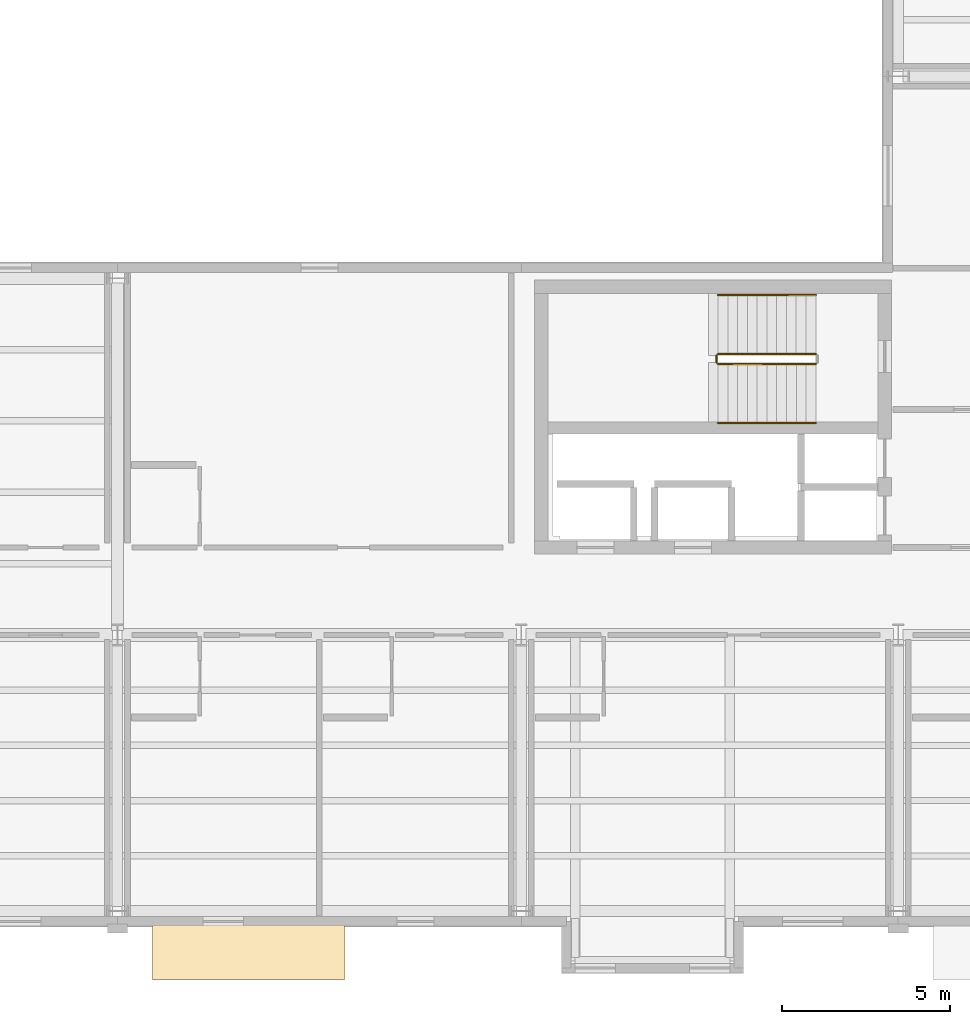
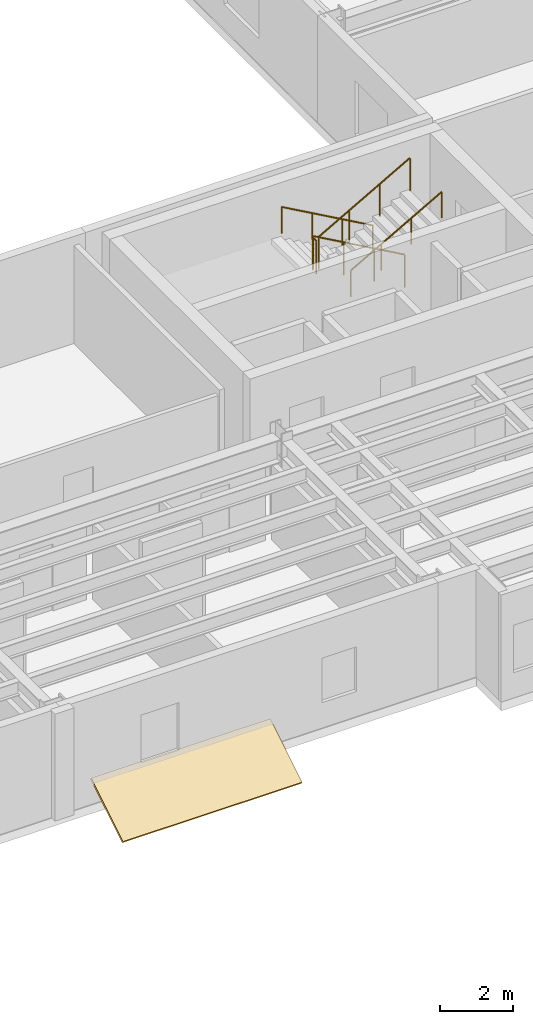
# One storey, part 31 of 34: 5 railings, 1 covering.
"""IFC4 building model written with IfcOpenShell, lengths in metres."""

from ifc_helpers import new_model, si_unit, direction, frame, origin, origin_2d, place, context, subcontext, project, spatial, polyline, circle, outline, extrude, material, layer, layer_set, type_object, element, save


model = new_model("IFC4")

# Units and contexts
model_context = context("Model", 3, precision=1e-05, world=origin(), true_north=direction((0.0, 1.0)))
body_context = subcontext(model_context, "Body", "Model", "MODEL_VIEW")
ifc_project = project(units=[si_unit("LENGTHUNIT", "METRE"), si_unit("AREAUNIT", "SQUARE_METRE"), si_unit("VOLUMEUNIT", "CUBIC_METRE"), si_unit("PLANEANGLEUNIT", "RADIAN"), si_unit("MASSUNIT", "GRAM", prefix="KILO")], contexts=[model_context])

# Site, building, storey
site_placement = place(None, origin())
site = spatial("IfcSite", under=ifc_project, at=site_placement, CompositionType="ELEMENT")
building_placement = place(site_placement, origin())
building = spatial("IfcBuilding", under=site, at=building_placement, Name="Sollismere Congress Hotel", CompositionType="ELEMENT")
storey_placement = place(building_placement, frame((0.0, 0.0, 23.39990234375)))
storey = spatial("IfcBuildingStorey", under=building, at=storey_placement, Name="L05", CompositionType="ELEMENT", Elevation=23.39990234375)

# Covering
ifc_material_1 = material(Name="Standing-Seam Titanium-Zinc Roof Assembly")
ifc_layer = layer(ifc_material_1, 0.054931640625, Name="Standing-Seam Titanium-Zinc Roof Assembly")
ifc_layer_set = layer_set([ifc_layer], Name="Standing-Seam Titanium-Zinc Roof Assembly")
covering_type = type_object("IfcCoveringType", Name="CV-RFZNC", PredefinedType="ROOFING", material=ifc_layer_set)
covering_placement = place(storey_placement, frame((125.050048828125, -2.008056640625, -0.3779296875), z_axis=(0.0, -0.525123792841, 0.851025852834), x_axis=(1.0, 0.0, 0.0)))
element("IfcCovering", 1, at=covering_placement, inside=storey, type_object=covering_type, Name="Cikma bay sacak hood SL-CKH-11", PredefinedType="ROOFING", context=body_context, shape_type="SweptSolid", body=[
    extrude(outline(polyline([(0.0, 0.0), (5.699951171875, 0.0), (5.699951171875, 2.056396484375), (0.0, 2.056396484375), (0.0, 0.0)])), origin(), (0.0, 0.0, 1.0), 0.080078125),
])

# Railings
ifc_material_2 = material(Name="Steel ASTM A500 Grade C", Category="steel")
railing_type_1 = type_object("IfcRailingType", Name="RL-GRD112", PredefinedType="GUARDRAIL", material=ifc_material_2)
railing_1_placement = place(storey_placement, frame((144.75, 16.550048828125, 0.163818359375)))
element("IfcRailing", 2, at=railing_1_placement, inside=storey, type_object=railing_type_1, Name="RLG-RG-ST-01-L05-1", PredefinedType="GUARDRAIL", context=body_context, shape_type="SweptSolid", body=[
    extrude(circle(Radius=0.02392578125, at=origin_2d()), frame((0.0, 0.0, 1.09619140625), z_axis=(-0.870928581787, 0.0, 0.491409610636), x_axis=(0.0, -1.0, 0.0)), (0.0, 0.0, 1.0), 3.32958984375),
    extrude(circle(Radius=0.02099609375, at=origin_2d()), origin(), (0.0, 0.0, 1.0), 1.072021484375),
    extrude(circle(Radius=0.02099609375, at=origin_2d()), frame((-0.966552734375, 0.0, 0.54541015625)), (0.0, 0.0, 1.0), 1.072021484375),
    extrude(circle(Radius=0.02099609375, at=origin_2d()), frame((-1.933349609375, 0.0, 1.0908203125)), (0.0, 0.0, 1.0), 1.072021484375),
    extrude(circle(Radius=0.02099609375, at=origin_2d()), frame((-2.89990234375, 0.0, 1.63623046875)), (0.0, 0.0, 1.0), 1.072021484375),
])
railing_2_placement = place(storey_placement, frame((141.800048828125, 16.5, 1.800048828125)))
element("IfcRailing", 3, at=railing_2_placement, inside=storey, type_object=railing_type_1, Name="RLG-RG-ST-01-L05-2", PredefinedType="GUARDRAIL", context=body_context, shape_type="SweptSolid", body=[
    extrude(circle(Radius=0.02392578125, at=origin_2d()), frame((0.0, 0.0, 1.09619140625), z_axis=(0.0, -1.0, 0.0), x_axis=(1.0, 0.0, 0.0)), (0.0, 0.0, 1.0), 0.199951171875),
    extrude(circle(Radius=0.02099609375, at=origin_2d()), origin(), (0.0, 0.0, 1.0), 1.072021484375),
    extrude(circle(Radius=0.02099609375, at=origin_2d()), frame((0.0, -0.199951171875, 0.0)), (0.0, 0.0, 1.0), 1.072021484375),
])
railing_3_placement = place(storey_placement, frame((141.85009765625, 16.25, 1.963623046875)))
element("IfcRailing", 4, at=railing_3_placement, inside=storey, type_object=railing_type_1, Name="RLG-RG-ST-01-L05-3", PredefinedType="GUARDRAIL", context=body_context, shape_type="SweptSolid", body=[
    extrude(circle(Radius=0.02392578125, at=origin_2d()), frame((0.0, 0.0, 1.09619140625), z_axis=(0.870897200241, 0.0, 0.491465224214), x_axis=(0.0, 1.0, 0.0)), (0.0, 0.0, 1.0), 3.329833984375),
    extrude(circle(Radius=0.02099609375, at=origin_2d()), origin(), (0.0, 0.0, 1.0), 1.072021484375),
    extrude(circle(Radius=0.02099609375, at=origin_2d()), frame((0.966552734375, 0.0, 0.54541015625)), (0.0, 0.0, 1.0), 1.072021484375),
    extrude(circle(Radius=0.02099609375, at=origin_2d()), frame((1.933349609375, 0.0, 1.091064453125)), (0.0, 0.0, 1.0), 1.072021484375),
    extrude(circle(Radius=0.02099609375, at=origin_2d()), frame((2.89990234375, 0.0, 1.636474609375)), (0.0, 0.0, 1.0), 1.072021484375),
])
ifc_material_3 = material(Name="Brushed Architectural Bronze")
railing_type_2 = type_object("IfcRailingType", Name="RL-HND90", PredefinedType="HANDRAIL", material=ifc_material_3)
railing_4_placement = place(storey_placement, frame((144.75, 18.300048828125, 0.303466796875)))
element("IfcRailing", 5, at=railing_4_placement, inside=storey, type_object=railing_type_2, Name="RLG-RH-ST-01-L05-1", PredefinedType="HANDRAIL", context=body_context, shape_type="SweptSolid", body=[
    extrude(circle(Radius=0.02392578125, at=origin_2d()), frame((0.0, 0.0, 0.8759765625), z_axis=(-0.870928581787, 0.0, 0.491409610636), x_axis=(0.0, -1.0, 0.0)), (0.0, 0.0, 1.0), 3.32958984375),
    extrude(circle(Radius=0.02099609375, at=origin_2d()), origin(), (0.0, 0.0, 1.0), 0.851806640625),
    extrude(circle(Radius=0.02099609375, at=origin_2d()), frame((-0.966552734375, 0.0, 0.54541015625)), (0.0, 0.0, 1.0), 0.851806640625),
    extrude(circle(Radius=0.02099609375, at=origin_2d()), frame((-1.933349609375, 0.0, 1.0908203125)), (0.0, 0.0, 1.0), 0.851806640625),
    extrude(circle(Radius=0.02099609375, at=origin_2d()), frame((-2.89990234375, 0.0, 1.63623046875)), (0.0, 0.0, 1.0), 0.851806640625),
])
railing_5_placement = place(storey_placement, frame((141.85009765625, 14.5, 2.103271484375)))
element("IfcRailing", 6, at=railing_5_placement, inside=storey, type_object=railing_type_2, Name="RLG-RH-ST-01-L05-2", PredefinedType="HANDRAIL", context=body_context, shape_type="SweptSolid", body=[
    extrude(circle(Radius=0.02392578125, at=origin_2d()), frame((0.0, 0.0, 0.8759765625), z_axis=(0.870897200241, 0.0, 0.491465224214), x_axis=(0.0, 1.0, 0.0)), (0.0, 0.0, 1.0), 3.329833984375),
    extrude(circle(Radius=0.02099609375, at=origin_2d()), origin(), (0.0, 0.0, 1.0), 0.851806640625),
    extrude(circle(Radius=0.02099609375, at=origin_2d()), frame((0.966552734375, 0.0, 0.54541015625)), (0.0, 0.0, 1.0), 0.851806640625),
    extrude(circle(Radius=0.02099609375, at=origin_2d()), frame((1.933349609375, 0.0, 1.091064453125)), (0.0, 0.0, 1.0), 0.851806640625),
    extrude(circle(Radius=0.02099609375, at=origin_2d()), frame((2.89990234375, 0.0, 1.636474609375)), (0.0, 0.0, 1.0), 0.851806640625),
])

save(model, "model.ifc")
